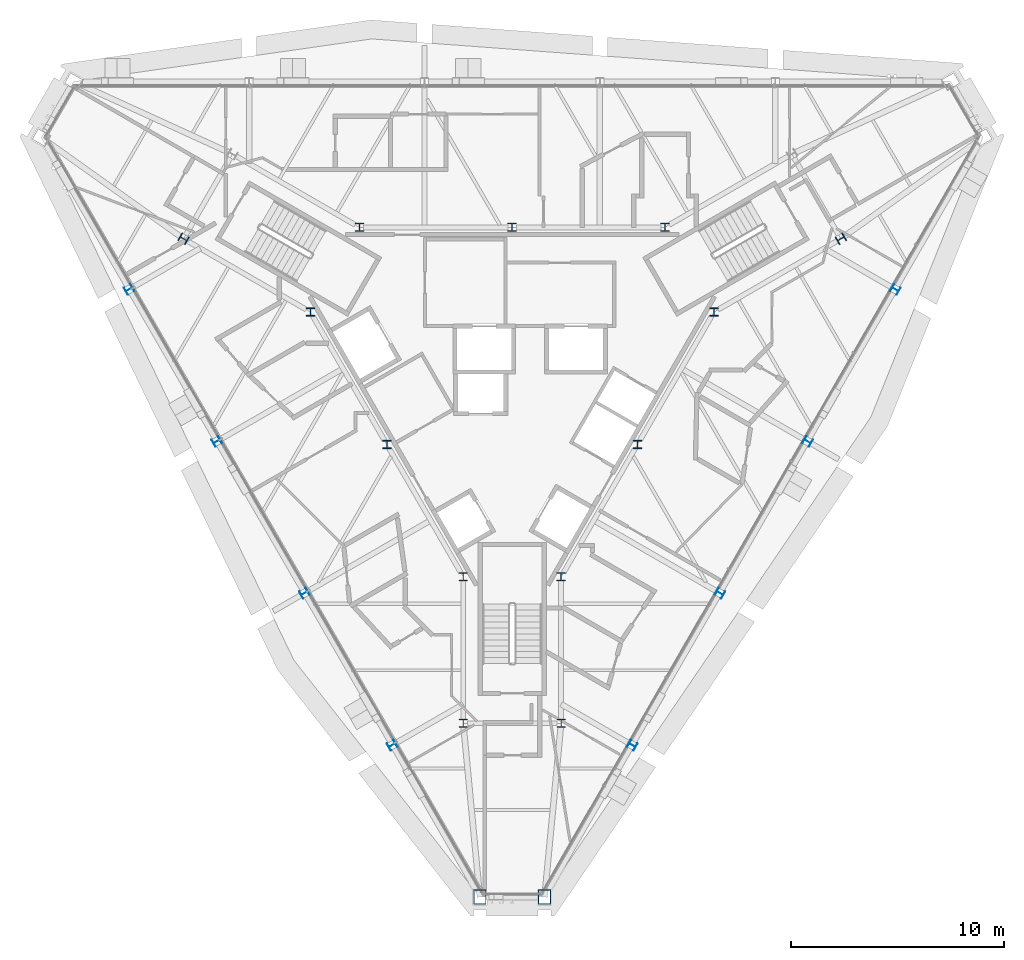
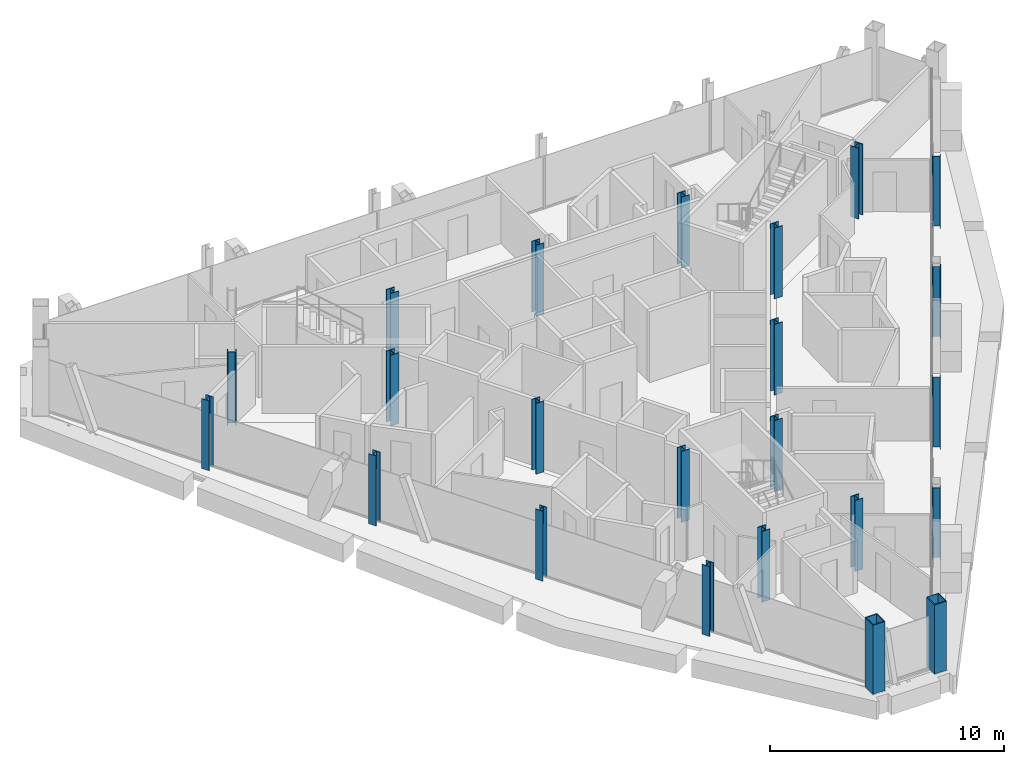
# One storey, part 1 of 15: 23 columns.
"""IFC4 building model written with IfcOpenShell, lengths in metres."""

import ifcopenshell
import ifcopenshell.guid

model = None  # the IFC model being written
_history = None  # IfcOwnerHistory: only IFC2X3 demands one
_inside = {}  # id of a spatial element -> (the spatial element, [elements in it])
_under = {}  # id of a project, library or spatial element -> (it, [spatial elements below it])
_declared = {}  # id of a project -> (the project, [libraries it declares])
_typed = {}  # id of a type object -> (the type object, [elements of that type])
_made_of = {}  # id of a material, layer set ... -> (it, [elements and type objects made of it])


def new_model(schema):
    """Start an empty IFC model of exactly this schema.

    Asked for "IFC4X3", IfcOpenShell would pick the latest addendum, in which some entities
    have other attributes; the version numbers below select the first issue.
    IFC2X3 requires an IfcOwnerHistory on every rooted entity: one is made here for all.
    """
    global model, _history
    if schema == "IFC4X3":
        model = ifcopenshell.file(schema_version=(4, 3, 0, 0))
    else:
        model = ifcopenshell.file(schema=schema)
    _inside.clear()
    _under.clear()
    _declared.clear()
    _typed.clear()
    _made_of.clear()
    _history = None
    if model.schema == "IFC2X3":
        org = make("IfcOrganization", Name="unknown")
        user = make(
            "IfcPersonAndOrganization",
            ThePerson=make("IfcPerson", FamilyName="unknown"),
            TheOrganization=org,
        )
        app = make(
            "IfcApplication",
            ApplicationDeveloper=org,
            Version="unknown",
            ApplicationFullName="unknown",
            ApplicationIdentifier="unknown",
        )
        _history = make(
            "IfcOwnerHistory",
            OwningUser=user,
            OwningApplication=app,
            ChangeAction="ADDED",
            CreationDate=0,
        )
    return model


def make(cls, **values):
    """One entity of the class cls with the attributes given. An attribute that is None is left unset."""
    return model.create_entity(
        cls, **{name: value for name, value in values.items() if value is not None}
    )


def rooted(cls, **values):
    """An entity with a GlobalId (a new one), such as an element, a storey or a relation."""
    return make(cls, GlobalId=ifcopenshell.guid.new(), OwnerHistory=_history, **values)


def si_unit(unit_type, name, prefix=None):
    """IfcSIUnit, for example si_unit("LENGTHUNIT", "METRE", prefix="MILLI")."""
    return make("IfcSIUnit", UnitType=unit_type, Prefix=prefix, Name=name)


def assignment(units):
    """IfcUnitAssignment: the units of a project."""
    return None if units is None else make("IfcUnitAssignment", Units=units)


def point(xyz):
    """IfcCartesianPoint."""
    return None if xyz is None else make("IfcCartesianPoint", Coordinates=xyz)


def direction(xyz):
    """IfcDirection."""
    return None if xyz is None else make("IfcDirection", DirectionRatios=xyz)


def frame(location, z_axis=None, x_axis=None):
    """IfcAxis2Placement3D, a coordinate frame: its origin and axes. An axis left out is left unset."""
    return make(
        "IfcAxis2Placement3D",
        Location=point(location),
        Axis=direction(z_axis),
        RefDirection=direction(x_axis),
    )


def frame_2d(location, x_axis=None):
    """IfcAxis2Placement2D, a coordinate frame in the plane: its origin and x axis."""
    return make(
        "IfcAxis2Placement2D", Location=point(location), RefDirection=direction(x_axis)
    )


def origin():
    """The frame at (0, 0, 0) with its axes left unset."""
    return frame((0.0, 0.0, 0.0))


def origin_2d():
    """The frame at (0, 0) in the plane with its x axis left unset."""
    return frame_2d((0.0, 0.0))


def place(relative_to, where):
    """IfcLocalPlacement: puts the frame where relative to a parent placement (None: the world)."""
    return make(
        "IfcLocalPlacement", PlacementRelTo=relative_to, RelativePlacement=where
    )


def context(
    kind, dimensions, precision=None, world=None, true_north=None, identifier=None
):
    """IfcGeometricRepresentationContext, for example the 3D "Model" context."""
    return make(
        "IfcGeometricRepresentationContext",
        ContextIdentifier=identifier,
        ContextType=kind,
        CoordinateSpaceDimension=dimensions,
        Precision=precision,
        WorldCoordinateSystem=world,
        TrueNorth=true_north,
    )


def subcontext(parent, identifier, kind, view, scale=None):
    """IfcGeometricRepresentationSubContext, for example "Body" below "Model"."""
    return make(
        "IfcGeometricRepresentationSubContext",
        ContextIdentifier=identifier,
        ContextType=kind,
        ParentContext=parent,
        TargetScale=scale,
        TargetView=view,
    )


def project(units=None, contexts=None):
    """IfcProject with its units and contexts."""
    return rooted(
        "IfcProject",
        Name="project",
        RepresentationContexts=contexts,
        UnitsInContext=assignment(units),
    )


def spatial(cls, under=None, at=None, **own):
    """A site, building, storey or space (cls), placed at a placement, below another one or the project."""
    s = rooted(cls, ObjectPlacement=at, **own)
    if under is not None:
        _under.setdefault(under.id(), (under, []))[1].append(s)
    return s


def profile(cls, at=None, kind="AREA", **sizes):
    """A parametric profile (cls). Its sizes go by their IFC names, for example OverallWidth=200.0."""
    return make(cls, ProfileType=kind, Position=at, **sizes)


def hollow_rectangle(**sizes):
    """IfcRectangleHollowProfileDef."""
    return profile("IfcRectangleHollowProfileDef", **sizes)


def i_section(**sizes):
    """IfcIShapeProfileDef."""
    return profile("IfcIShapeProfileDef", **sizes)


def extrude(swept, where, along, depth):
    """IfcExtrudedAreaSolid: the profile swept, set in the frame where, extruded along a direction by depth."""
    return make(
        "IfcExtrudedAreaSolid",
        SweptArea=swept,
        Position=where,
        ExtrudedDirection=direction(along),
        Depth=depth,
    )


def shape(context_of_items, identifier, shape_type, items):
    """IfcShapeRepresentation: the items that make up one representation, for example the "Body"."""
    return make(
        "IfcShapeRepresentation",
        ContextOfItems=context_of_items,
        RepresentationIdentifier=identifier,
        RepresentationType=shape_type,
        Items=items,
    )


def material(Name=None, Category=None):
    """IfcMaterial."""
    return make("IfcMaterial", Name=Name, Category=Category)


def material_profile(
    of_material, cross_section, Name=None, Category=None, Priority=None
):
    """IfcMaterialProfile: a cross section and its material."""
    return make(
        "IfcMaterialProfile",
        Name=Name,
        Material=of_material,
        Profile=cross_section,
        Priority=Priority,
        Category=Category,
    )


def profile_set(profiles, Name=None, composite=None):
    """IfcMaterialProfileSet."""
    return make(
        "IfcMaterialProfileSet",
        Name=Name,
        MaterialProfiles=profiles,
        CompositeProfile=composite,
    )


def made_of(thing, what):
    """Note that an element or type object is made of a material, layer set ...; save() writes the relation."""
    if what is not None:
        _made_of.setdefault(what.id(), (what, []))[1].append(thing)
    return thing


def type_object(cls, material=None, **own):
    """A type object (cls), such as IfcWallType, which elements share."""
    return made_of(rooted(cls, **own), material)


def element(
    cls,
    number,
    at=None,
    inside=None,
    cuts=None,
    type_object=None,
    material=None,
    context=None,
    identifier="Body",
    shape_type=None,
    held_by="IfcProductDefinitionShape",
    body=None,
    shapes=None,
    **own,
):
    """One element of the class cls, such as IfcWall. Its Tag is "e" and its number.

    at: its placement. inside: the storey or other place that contains it. cuts: it is an
    opening in that element (IfcRelVoidsElement). A single representation is given by context,
    identifier, shape_type and body (its items); several are given by shapes. held_by: the class
    of the entity that holds the representations. save() writes the other relations.
    """
    e = rooted(cls, Tag="e%d" % number, ObjectPlacement=at, **own)
    if body is not None:
        shapes = [shape(context, identifier, shape_type, body)]
    if shapes is not None:
        e.Representation = make(held_by, Representations=shapes)
    if inside is not None:
        _inside.setdefault(inside.id(), (inside, []))[1].append(e)
    if cuts is not None:
        rooted(
            "IfcRelVoidsElement", RelatingBuildingElement=cuts, RelatedOpeningElement=e
        )
    if type_object is not None:
        _typed.setdefault(type_object.id(), (type_object, []))[1].append(e)
    return made_of(e, material)


def aggregate(whole, parts):
    """IfcRelAggregates: a whole, such as a stair, and the parts it consists of."""
    return rooted("IfcRelAggregates", RelatingObject=whole, RelatedObjects=parts)


def save(model, path):
    """Write the relations noted so far, then the file.

    IfcRelAggregates (storeys below a building ...), IfcRelContainedInSpatialStructure (elements
    in a storey), IfcRelDefinesByType, IfcRelAssociatesMaterial and IfcRelDeclares: one each for
    every whole, place, type object, material and project.
    """
    for whole, parts in _under.values():
        aggregate(whole, parts)
    for where, things in _inside.values():
        rooted(
            "IfcRelContainedInSpatialStructure",
            RelatedElements=things,
            RelatingStructure=where,
        )
    for kind, things in _typed.values():
        rooted("IfcRelDefinesByType", RelatedObjects=things, RelatingType=kind)
    for what, things in _made_of.values():
        rooted("IfcRelAssociatesMaterial", RelatedObjects=things, RelatingMaterial=what)
    for by, libraries in _declared.values():
        rooted("IfcRelDeclares", RelatingContext=by, RelatedDefinitions=libraries)
    model.write(path)


model = new_model("IFC4")

# Units and contexts
model_context = context("Model", 3, precision=1e-05, world=origin(), true_north=direction((0.0, 1.0)))
body_context = subcontext(model_context, "Body", "Model", "MODEL_VIEW")
ifc_project = project(units=[si_unit("LENGTHUNIT", "METRE"), si_unit("AREAUNIT", "SQUARE_METRE"), si_unit("VOLUMEUNIT", "CUBIC_METRE"), si_unit("PLANEANGLEUNIT", "RADIAN"), si_unit("MASSUNIT", "GRAM", prefix="KILO")], contexts=[model_context])

# Site, building, storey
site_placement = place(None, origin())
site = spatial("IfcSite", under=ifc_project, at=site_placement, CompositionType="ELEMENT")
building_placement = place(site_placement, origin())
building = spatial("IfcBuilding", under=site, at=building_placement, Name="Verrane Prism Tower", CompositionType="ELEMENT")
storey_placement = place(building_placement, frame((0.0, 0.0, 301.0)))
storey = spatial("IfcBuildingStorey", under=building, at=storey_placement, Name="L76", CompositionType="ELEMENT", Elevation=301.0)

# Columns
ifc_material_1 = material(Name="Steel A992", Category="steel")
ifc_material_profile_1 = material_profile(ifc_material_1, i_section(OverallWidth=0.4013671875, OverallDepth=0.398681640625, WebThickness=0.02490234375, FlangeThickness=0.03955078125, FilletRadius=0.01513671875, at=origin_2d()), Name="W14x211")
ifc_profile_set_1 = profile_set([ifc_material_profile_1], Name="Steel A992")
column_type_1 = type_object("IfcColumnType", Name="Core corner column W14x211", PredefinedType="COLUMN", material=ifc_profile_set_1)
for number, where, z_axis, x_axis, name in (
    (1, (15.43994140625, 6.260009765625, 0.0), (0.0, 0.0, 1.0), (0.5, -0.866025403784, 0.0), "Core corner column CK-NEm L76"),
    (2, (-15.43994140625, 6.260009765625, 0.0), (0.0, 0.0, 1.0), (0.5, 0.866025403784, 0.0), "Core corner column CK-NWp L76"),
    (3, (-2.300048828125, -16.5, 0.0), (0.0, 0.0, 1.0), (-1.0, 0.0, 0.0), "Core corner column CK-Sm L76"),
    (4, (2.300048828125, -16.5, 0.0), (0.0, 0.0, 1.0), (-1.0, 0.0, 0.0), "Core corner column CK-Sp L76"),
):
    element("IfcColumn", number, at=place(storey_placement, frame(where, z_axis=z_axis, x_axis=x_axis)), inside=storey, type_object=column_type_1, Name=name, PredefinedType="COLUMN", context=body_context, shape_type="SweptSolid", body=[
        extrude(i_section(OverallWidth=0.4013671875, OverallDepth=0.398681640625, WebThickness=0.02490234375, FlangeThickness=0.03955078125, FilletRadius=0.01513671875, at=origin_2d()), origin(), (0.0, 0.0, 1.0), 3.699951171875),
    ])
ifc_material_2 = material(Name="Steel A992", Category="steel")
ifc_material_profile_2 = material_profile(ifc_material_2, i_section(OverallWidth=0.398681640625, OverallDepth=0.385986328125, WebThickness=0.02099609375, FlangeThickness=0.033203125, FilletRadius=0.01513671875, at=origin_2d()), Name="W14x176")
ifc_profile_set_2 = profile_set([ifc_material_profile_2], Name="Steel A992")
column_type_2 = type_object("IfcColumnType", Name="Core side column W14x176", PredefinedType="COLUMN", material=ifc_profile_set_2)
for number, where, z_axis, x_axis, name in (
    (5, (9.47998046875, 2.820068359375, 0.0), (0.0, 0.0, 1.0), (1.0, 0.0, 0.0), "Core side column CC-NEm L76"),
    (6, (7.179931640625, 6.800048828125, 0.0), (0.0, 0.0, 1.0), (1.0, 0.0, 0.0), "Core side column CC-NEp L76"),
    (7, (0.0, 6.800048828125, 0.0), (0.0, 0.0, 1.0), (1.0, 0.0, 0.0), "Core side column CC-N0 L76"),
    (8, (-7.179931640625, 6.800048828125, 0.0), (0.0, 0.0, 1.0), (1.0, 0.0, 0.0), "Core side column CC-NWm L76"),
    (9, (-9.47998046875, 2.820068359375, 0.0), (0.0, 0.0, 1.0), (1.0, 0.0, 0.0), "Core side column CC-NWp L76"),
    (10, (-5.889892578125, -3.39990234375, 0.0), (0.0, 0.0, 1.0), (1.0, 0.0, 0.0), "Core side column CC-SW0 L76"),
    (11, (-2.300048828125, -9.6201171875, 0.0), (0.0, 0.0, 1.0), (1.0, 0.0, 0.0), "Core side column CC-Sm L76"),
    (12, (2.300048828125, -9.6201171875, 0.0), (0.0, 0.0, 1.0), (1.0, 0.0, 0.0), "Core side column CC-Sp L76"),
    (13, (5.889892578125, -3.39990234375, 0.0), (0.0, 0.0, 1.0), (1.0, 0.0, 0.0), "Core side column CC-SE0 L76"),
):
    element("IfcColumn", number, at=place(storey_placement, frame(where, z_axis=z_axis, x_axis=x_axis)), inside=storey, type_object=column_type_2, Name=name, PredefinedType="COLUMN", context=body_context, shape_type="SweptSolid", body=[
        extrude(i_section(OverallWidth=0.398681640625, OverallDepth=0.385986328125, WebThickness=0.02099609375, FlangeThickness=0.033203125, FilletRadius=0.01513671875, at=origin_2d()), origin(), (0.0, 0.0, 1.0), 3.699951171875),
    ])
ifc_material_3 = material(Name="Steel A572 Grade 50", Category="steel")
ifc_material_profile_3 = material_profile(ifc_material_3, hollow_rectangle(XDim=0.60009765625, YDim=0.699951171875, WallThickness=0.0400390625, at=origin_2d()), Name="BOX 700x600x40")
ifc_profile_set_3 = profile_set([ifc_material_profile_3], Name="Steel A572 Grade 50")
column_type_3 = type_object("IfcColumnType", Name="Megacolumn BOX 700x600x40", PredefinedType="COLUMN", material=ifc_profile_set_3)
for number, where, z_axis, x_axis, name in (
    (14, (-1.52001953125, -24.669921875, 0.0), (0.0, 0.0, 1.0), (-1.0, 0.0, 0.0), "Megacolumn MC-S.a L76"),
    (15, (1.52001953125, -24.669921875, 0.0), (0.0, 0.0, 1.0), (-1.0, 0.0, 0.0), "Megacolumn MC-S.b L76"),
):
    element("IfcColumn", number, at=place(storey_placement, frame(where, z_axis=z_axis, x_axis=x_axis)), inside=storey, type_object=column_type_3, Name=name, PredefinedType="COLUMN", context=body_context, shape_type="SweptSolid", body=[
        extrude(hollow_rectangle(XDim=0.60009765625, YDim=0.699951171875, WallThickness=0.0400390625, at=origin_2d()), origin(), (0.0, 0.0, 1.0), 3.610107421875),
    ])
ifc_material_4 = material(Name="Steel A992", Category="steel")
ifc_material_profile_4 = material_profile(ifc_material_4, i_section(OverallWidth=0.373291015625, OverallDepth=0.368408203125, WebThickness=0.014892578125, FlangeThickness=0.02392578125, FilletRadius=0.01513671875, at=origin_2d()), Name="W14x120")
ifc_profile_set_4 = profile_set([ifc_material_profile_4], Name="Steel A992")
column_type_4 = type_object("IfcColumnType", Name="Perimeter column W14x120", PredefinedType="COLUMN", material=ifc_profile_set_4)
column_1_placement = place(storey_placement, frame((-18.0, 3.8798828125, 0.0), z_axis=(0.0, 0.0, 1.0), x_axis=(-0.5, 0.866025403784, 0.0)))
element("IfcColumn", 16, at=column_1_placement, inside=storey, type_object=column_type_4, Name="Perimeter column PC-SW1 L76", PredefinedType="COLUMN", context=body_context, shape_type="SweptSolid", body=[
    extrude(i_section(OverallWidth=0.373291015625, OverallDepth=0.368408203125, WebThickness=0.014892578125, FlangeThickness=0.02392578125, FilletRadius=0.01513671875, at=origin_2d()), origin(), (0.0, 0.0, 1.0), 3.64501953125),
])
for number, where, z_axis, x_axis, name in (
    (17, (-13.8798828125, -3.260009765625, 0.0), (0.0, 0.0, 1.0), (-0.5, 0.866025403784, 0.0), "Perimeter column PC-SW2 L76"),
    (18, (-9.760009765625, -10.389892578125, 0.0), (0.0, 0.0, 1.0), (-0.5, 0.866025403784, 0.0), "Perimeter column PC-SW3 L76"),
):
    element("IfcColumn", number, at=place(storey_placement, frame(where, z_axis=z_axis, x_axis=x_axis)), inside=storey, type_object=column_type_4, Name=name, PredefinedType="COLUMN", context=body_context, shape_type="SweptSolid", body=[
        extrude(i_section(OverallWidth=0.373291015625, OverallDepth=0.368408203125, WebThickness=0.014892578125, FlangeThickness=0.02392578125, FilletRadius=0.01513671875, at=origin_2d()), origin(), (0.0, 0.0, 1.0), 3.655029296875),
    ])
for number, where, z_axis, x_axis, name in (
    (19, (-5.639892578125, -17.530029296875, 0.0), (0.0, 0.0, 1.0), (-0.5, 0.866025403784, 0.0), "Perimeter column PC-SW4 L76"),
    (20, (5.639892578125, -17.530029296875, 0.0), (0.0, 0.0, 1.0), (-0.5, -0.866025403784, 0.0), "Perimeter column PC-SE1 L76"),
):
    element("IfcColumn", number, at=place(storey_placement, frame(where, z_axis=z_axis, x_axis=x_axis)), inside=storey, type_object=column_type_4, Name=name, PredefinedType="COLUMN", context=body_context, shape_type="SweptSolid", body=[
        extrude(i_section(OverallWidth=0.373291015625, OverallDepth=0.368408203125, WebThickness=0.014892578125, FlangeThickness=0.02392578125, FilletRadius=0.01513671875, at=origin_2d()), origin(), (0.0, 0.0, 1.0), 3.64501953125),
    ])
for number, where, z_axis, x_axis, name in (
    (21, (9.760009765625, -10.389892578125, 0.0), (0.0, 0.0, 1.0), (-0.5, -0.866025403784, 0.0), "Perimeter column PC-SE2 L76"),
    (22, (13.8798828125, -3.260009765625, 0.0), (0.0, 0.0, 1.0), (-0.5, -0.866025403784, 0.0), "Perimeter column PC-SE3 L76"),
):
    element("IfcColumn", number, at=place(storey_placement, frame(where, z_axis=z_axis, x_axis=x_axis)), inside=storey, type_object=column_type_4, Name=name, PredefinedType="COLUMN", context=body_context, shape_type="SweptSolid", body=[
        extrude(i_section(OverallWidth=0.373291015625, OverallDepth=0.368408203125, WebThickness=0.014892578125, FlangeThickness=0.02392578125, FilletRadius=0.01513671875, at=origin_2d()), origin(), (0.0, 0.0, 1.0), 3.655029296875),
    ])
column_2_placement = place(storey_placement, frame((18.0, 3.8798828125, 0.0), z_axis=(0.0, 0.0, 1.0), x_axis=(-0.5, -0.866025403784, 0.0)))
element("IfcColumn", 23, at=column_2_placement, inside=storey, type_object=column_type_4, Name="Perimeter column PC-SE4 L76", PredefinedType="COLUMN", context=body_context, shape_type="SweptSolid", body=[
    extrude(i_section(OverallWidth=0.373291015625, OverallDepth=0.368408203125, WebThickness=0.014892578125, FlangeThickness=0.02392578125, FilletRadius=0.01513671875, at=origin_2d()), origin(), (0.0, 0.0, 1.0), 3.64501953125),
])

save(model, "model.ifc")
